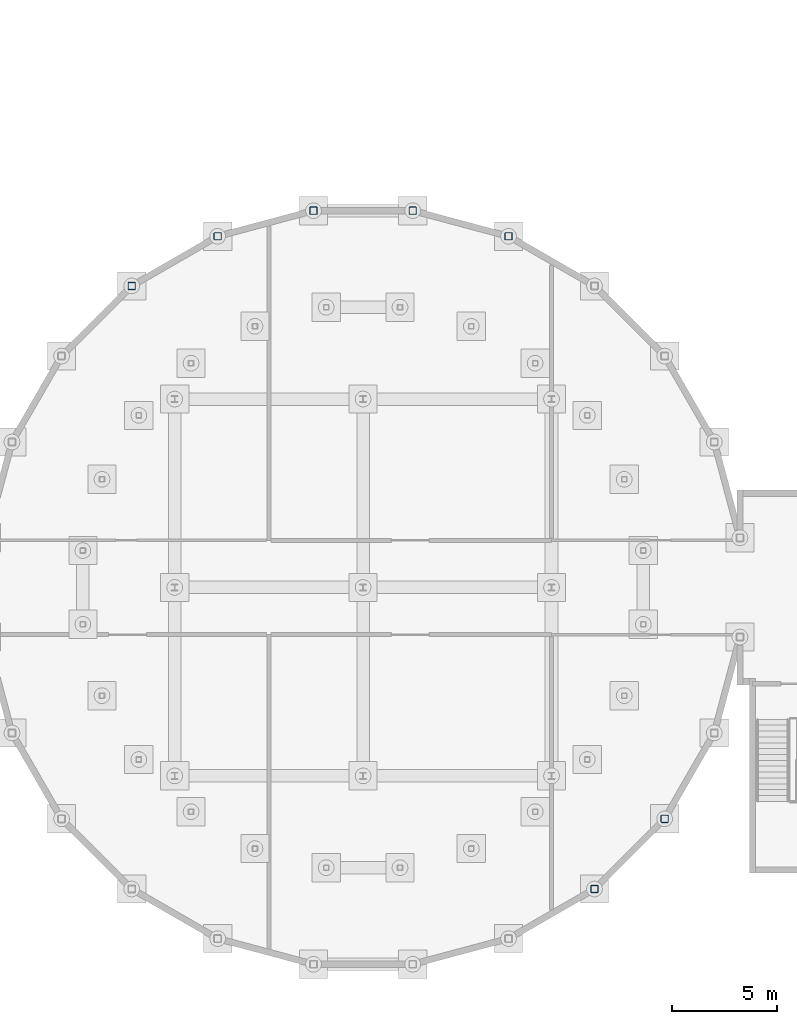
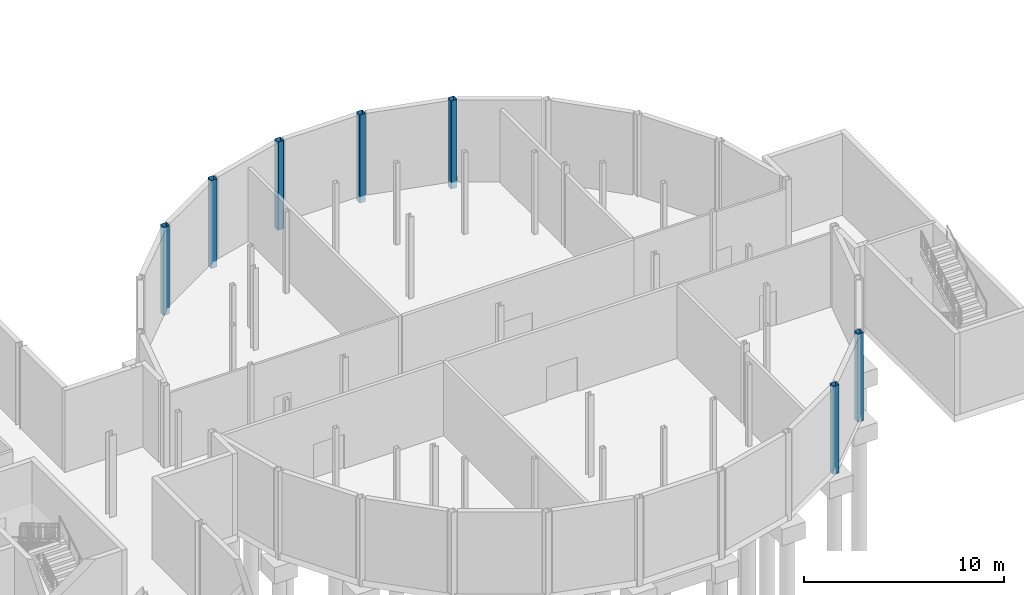
# One storey, part 10 of 25: 7 columns.
"""IFC4 building model written with IfcOpenShell, lengths in metres."""

from ifc_helpers import new_model, si_unit, direction, frame, origin, origin_2d, place, context, subcontext, project, spatial, hollow_rectangle, extrude, material, material_profile, profile_set, type_object, element, save


model = new_model("IFC4")

# Units and contexts
model_context = context("Model", 3, precision=1e-05, world=origin(), true_north=direction((0.0, 1.0)))
body_context = subcontext(model_context, "Body", "Model", "MODEL_VIEW")
ifc_project = project(units=[si_unit("LENGTHUNIT", "METRE"), si_unit("AREAUNIT", "SQUARE_METRE"), si_unit("VOLUMEUNIT", "CUBIC_METRE"), si_unit("PLANEANGLEUNIT", "RADIAN"), si_unit("MASSUNIT", "GRAM", prefix="KILO")], contexts=[model_context])

# Site, building, storey
site_placement = place(None, origin())
site = spatial("IfcSite", under=ifc_project, at=site_placement, CompositionType="ELEMENT")
building_placement = place(site_placement, origin())
building = spatial("IfcBuilding", under=site, at=building_placement, Name="Hortulan Conservatory and Botanical Research Centre", CompositionType="ELEMENT")
storey_placement = place(building_placement, frame((0.0, 0.0, -5.0)))
storey = spatial("IfcBuildingStorey", under=building, at=storey_placement, Name="B1", CompositionType="ELEMENT", Elevation=-5.0)

# Columns
ifc_material = material(Name="Steel Grade C450L0 (450 MPa, AS/NZS 1163)", Category="steel")
ifc_material_profile = material_profile(ifc_material, hollow_rectangle(XDim=0.35009765625, YDim=0.35009765625, WallThickness=0.012451171875, InnerFilletRadius=0.018798828125, OuterFilletRadius=0.03125, at=origin_2d()), Name="350x350x12.5SHS")
ifc_profile_set = profile_set([ifc_material_profile], Name="Steel Grade C450L0 (450 MPa, AS/NZS 1163)")
column_type = type_object("IfcColumnType", Name="Dome Drum Column 350x350x12.5 SHS", PredefinedType="COLUMN", material=ifc_profile_set)
for number, where, z_axis, x_axis, name in (
    (1, (60.94775390625, 34.773193359375, -0.39990234375), (0.0, 0.0, 1.0), (1.0, 0.0, 0.0), "Dome drum column 05 B1"),
    (2, (56.36962890625, 36.0, -0.39990234375), (0.0, 0.0, 1.0), (1.0, 0.0, 0.0), "Dome drum column 06 B1"),
    (3, (51.63037109375, 36.0, -0.39990234375), (0.0, 0.0, 1.0), (1.0, 0.0, 0.0), "Dome drum column 07 B1"),
    (4, (47.05224609375, 34.773193359375, -0.39990234375), (0.0, 0.0, 1.0), (1.0, 0.0, 0.0), "Dome drum column 08 B1"),
    (5, (42.94775390625, 32.403564453125, -0.39990234375), (0.0, 0.0, 1.0), (1.0, 0.0, 0.0), "Dome drum column 09 B1"),
    (6, (65.05224609375, 3.596435546875, -0.39990234375), (0.0, 0.0, 1.0), (1.0, 0.0, 0.0), "Dome drum column 21 B1"),
    (7, (68.403564453125, 6.94775390625, -0.39990234375), (0.0, 0.0, 1.0), (1.0, 0.0, 0.0), "Dome drum column 22 B1"),
):
    element("IfcColumn", number, at=place(storey_placement, frame(where, z_axis=z_axis, x_axis=x_axis)), inside=storey, type_object=column_type, Name=name, PredefinedType="COLUMN", context=body_context, shape_type="SweptSolid", body=[
        extrude(hollow_rectangle(XDim=0.35009765625, YDim=0.35009765625, WallThickness=0.012451171875, InnerFilletRadius=0.018798828125, OuterFilletRadius=0.03125, at=origin_2d()), origin(), (0.0, 0.0, 1.0), 5.39990234375),
    ])

save(model, "model.ifc")
